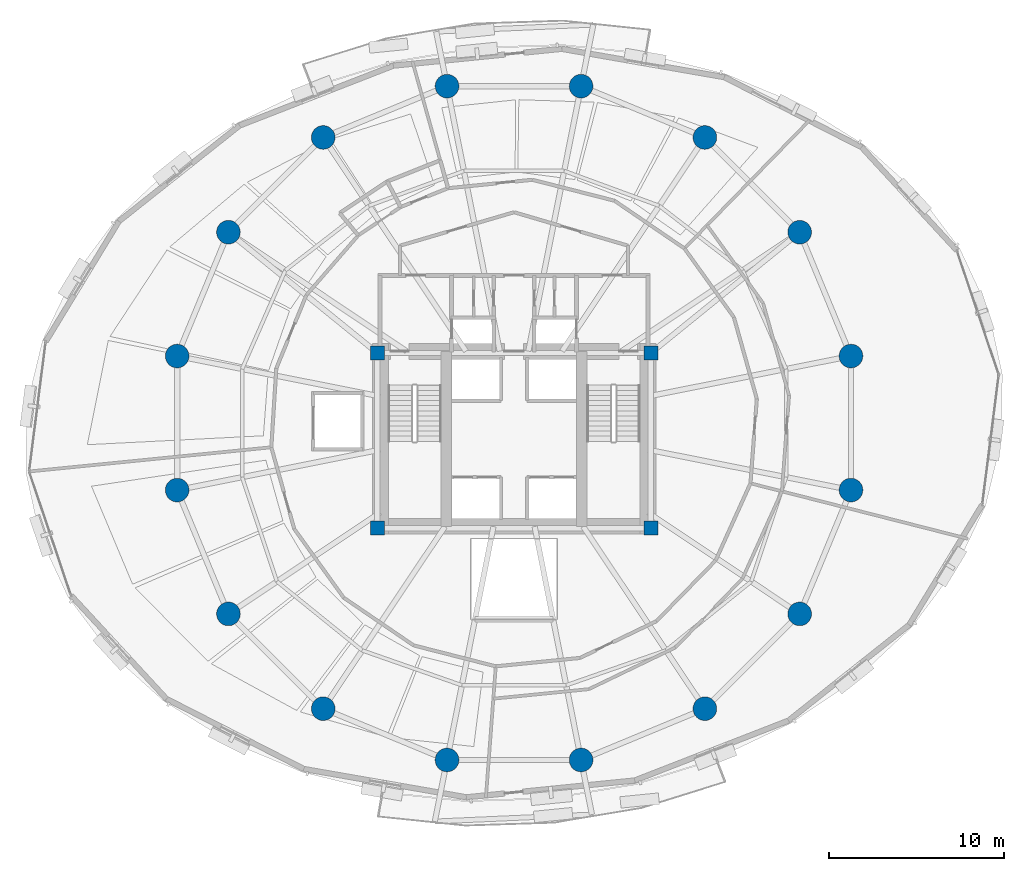
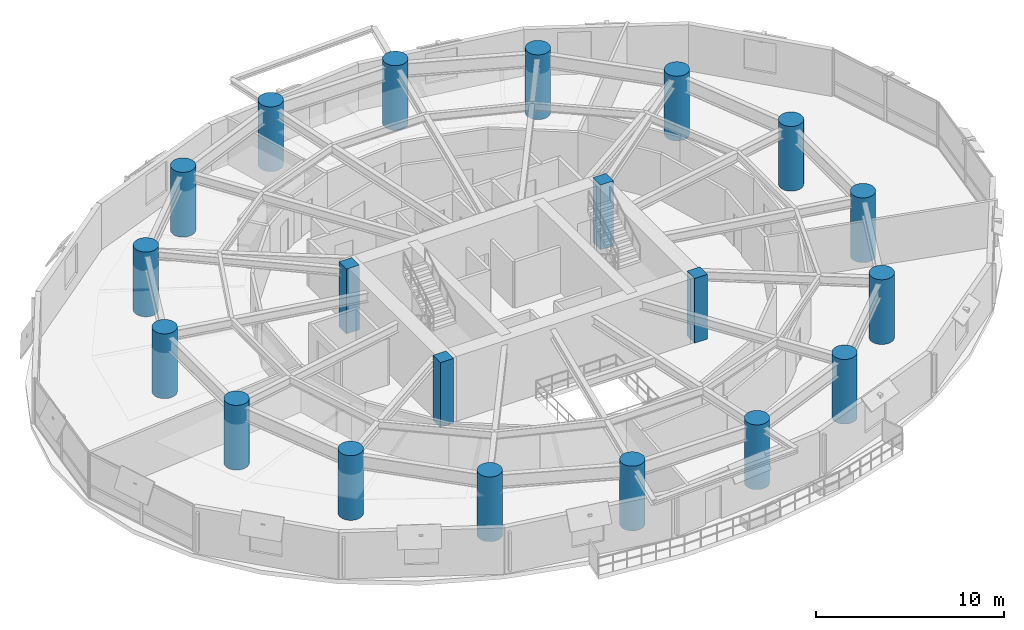
# One storey, part 1 of 17: 20 columns.
"""IFC4 building model written with IfcOpenShell, lengths in metres."""

from ifc_helpers import new_model, si_unit, direction, frame, origin, origin_2d, place, context, subcontext, project, spatial, rectangle, circle, extrude, material, material_profile, profile_set, type_object, element, save


model = new_model("IFC4")

# Units and contexts
model_context = context("Model", 3, precision=1e-05, world=origin(), true_north=direction((0.0, 1.0)))
body_context = subcontext(model_context, "Body", "Model", "MODEL_VIEW")
ifc_project = project(units=[si_unit("LENGTHUNIT", "METRE"), si_unit("AREAUNIT", "SQUARE_METRE"), si_unit("VOLUMEUNIT", "CUBIC_METRE"), si_unit("PLANEANGLEUNIT", "RADIAN"), si_unit("MASSUNIT", "GRAM", prefix="KILO"), si_unit("THERMODYNAMICTEMPERATUREUNIT", "KELVIN"), si_unit("POWERUNIT", "WATT")], contexts=[model_context])

# Site, building, storey
site_placement = place(None, origin())
site = spatial("IfcSite", under=ifc_project, at=site_placement, CompositionType="ELEMENT")
building_placement = place(site_placement, origin())
building = spatial("IfcBuilding", under=site, at=building_placement, Name="Ocrelia Relay Tower", CompositionType="ELEMENT")
storey_placement = place(building_placement, frame((0.0, 0.0, 55.199951171875)))
storey = spatial("IfcBuildingStorey", under=building, at=storey_placement, Name="L12", CompositionType="ELEMENT", Elevation=55.199951171875)

# Columns
ifc_material_1 = material(Name="Concrete C70/85", Category="concrete")
ifc_material_profile_1 = material_profile(ifc_material_1, circle(Radius=0.675048828125, at=origin_2d()), Name="RC-CIR-1350")
ifc_profile_set_1 = profile_set([ifc_material_profile_1], Name="Concrete C70/85")
column_type_1 = type_object("IfcColumnType", Name="COL-CT-1350", PredefinedType="COLUMN", material=ifc_profile_set_1)
for number, where, z_axis, x_axis, name in (
    (1, (53.223388671875, 29.82373046875, 0.0), (0.0, 0.0, 1.0), (1.0, 0.0, 0.0), "L12 Perimeter Ring Column C01"),
    (2, (50.296875, 36.88916015625, 0.0), (0.0, 0.0, 1.0), (1.0, 0.0, 0.0), "L12 Perimeter Ring Column C02"),
    (3, (44.88916015625, 42.296875, 0.0), (0.0, 0.0, 1.0), (1.0, 0.0, 0.0), "L12 Perimeter Ring Column C03"),
    (4, (37.82373046875, 45.223388671875, 0.0), (0.0, 0.0, 1.0), (1.0, 0.0, 0.0), "L12 Perimeter Ring Column C04"),
    (5, (30.17626953125, 45.223388671875, 0.0), (0.0, 0.0, 1.0), (1.0, 0.0, 0.0), "L12 Perimeter Ring Column C05"),
    (6, (23.11083984375, 42.296875, 0.0), (0.0, 0.0, 1.0), (1.0, 0.0, 0.0), "L12 Perimeter Ring Column C06"),
    (7, (17.703125, 36.88916015625, 0.0), (0.0, 0.0, 1.0), (1.0, 0.0, 0.0), "L12 Perimeter Ring Column C07"),
    (8, (14.776611328125, 29.82373046875, 0.0), (0.0, 0.0, 1.0), (1.0, 0.0, 0.0), "L12 Perimeter Ring Column C08"),
    (9, (14.776611328125, 22.17626953125, 0.0), (0.0, 0.0, 1.0), (1.0, 0.0, 0.0), "L12 Perimeter Ring Column C09"),
    (10, (17.703125, 15.11083984375, 0.0), (0.0, 0.0, 1.0), (1.0, 0.0, 0.0), "L12 Perimeter Ring Column C10"),
    (11, (23.11083984375, 9.703125, 0.0), (0.0, 0.0, 1.0), (1.0, 0.0, 0.0), "L12 Perimeter Ring Column C11"),
    (12, (30.17626953125, 6.776611328125, 0.0), (0.0, 0.0, 1.0), (1.0, 0.0, 0.0), "L12 Perimeter Ring Column C12"),
    (13, (37.82373046875, 6.776611328125, 0.0), (0.0, 0.0, 1.0), (1.0, 0.0, 0.0), "L12 Perimeter Ring Column C13"),
    (14, (44.88916015625, 9.703125, 0.0), (0.0, 0.0, 1.0), (1.0, 0.0, 0.0), "L12 Perimeter Ring Column C14"),
    (15, (50.296875, 15.11083984375, 0.0), (0.0, 0.0, 1.0), (1.0, 0.0, 0.0), "L12 Perimeter Ring Column C15"),
    (16, (53.223388671875, 22.17626953125, 0.0), (0.0, 0.0, 1.0), (1.0, 0.0, 0.0), "L12 Perimeter Ring Column C16"),
):
    element("IfcColumn", number, at=place(storey_placement, frame(where, z_axis=z_axis, x_axis=x_axis)), inside=storey, type_object=column_type_1, Name=name, PredefinedType="COLUMN", context=body_context, shape_type="SweptSolid", body=[
        extrude(circle(Radius=0.675048828125, at=origin_2d()), origin(), (0.0, 0.0, 1.0), 4.199951171875),
    ])
ifc_material_2 = material(Name="Concrete C60/75", Category="concrete")
ifc_material_profile_2 = material_profile(ifc_material_2, rectangle(XDim=0.800048828125, YDim=0.800048828125, at=origin_2d()), Name="RC-COL-800x800")
ifc_profile_set_2 = profile_set([ifc_material_profile_2], Name="Concrete C60/75")
column_type_2 = type_object("IfcColumnType", Name="COL-PILASTER-800", PredefinedType="PILASTER", material=ifc_profile_set_2)
for number, where, z_axis, x_axis, name in (
    (17, (26.199951171875, 20.0, 0.0), (0.0, 0.0, 1.0), (1.0, 0.0, 0.0), "L12 Core Corner Pilaster SW"),
    (18, (41.800048828125, 20.0, 0.0), (0.0, 0.0, 1.0), (1.0, 0.0, 0.0), "L12 Core Corner Pilaster SE"),
    (19, (26.199951171875, 30.0, 0.0), (0.0, 0.0, 1.0), (1.0, 0.0, 0.0), "L12 Core Corner Pilaster NW"),
    (20, (41.800048828125, 30.0, 0.0), (0.0, 0.0, 1.0), (1.0, 0.0, 0.0), "L12 Core Corner Pilaster NE"),
):
    element("IfcColumn", number, at=place(storey_placement, frame(where, z_axis=z_axis, x_axis=x_axis)), inside=storey, type_object=column_type_2, Name=name, PredefinedType="PILASTER", context=body_context, shape_type="SweptSolid", body=[
        extrude(rectangle(XDim=0.800048828125, YDim=0.800048828125, at=origin_2d()), origin(), (0.0, 0.0, 1.0), 4.199951171875),
    ])

save(model, "model.ifc")
